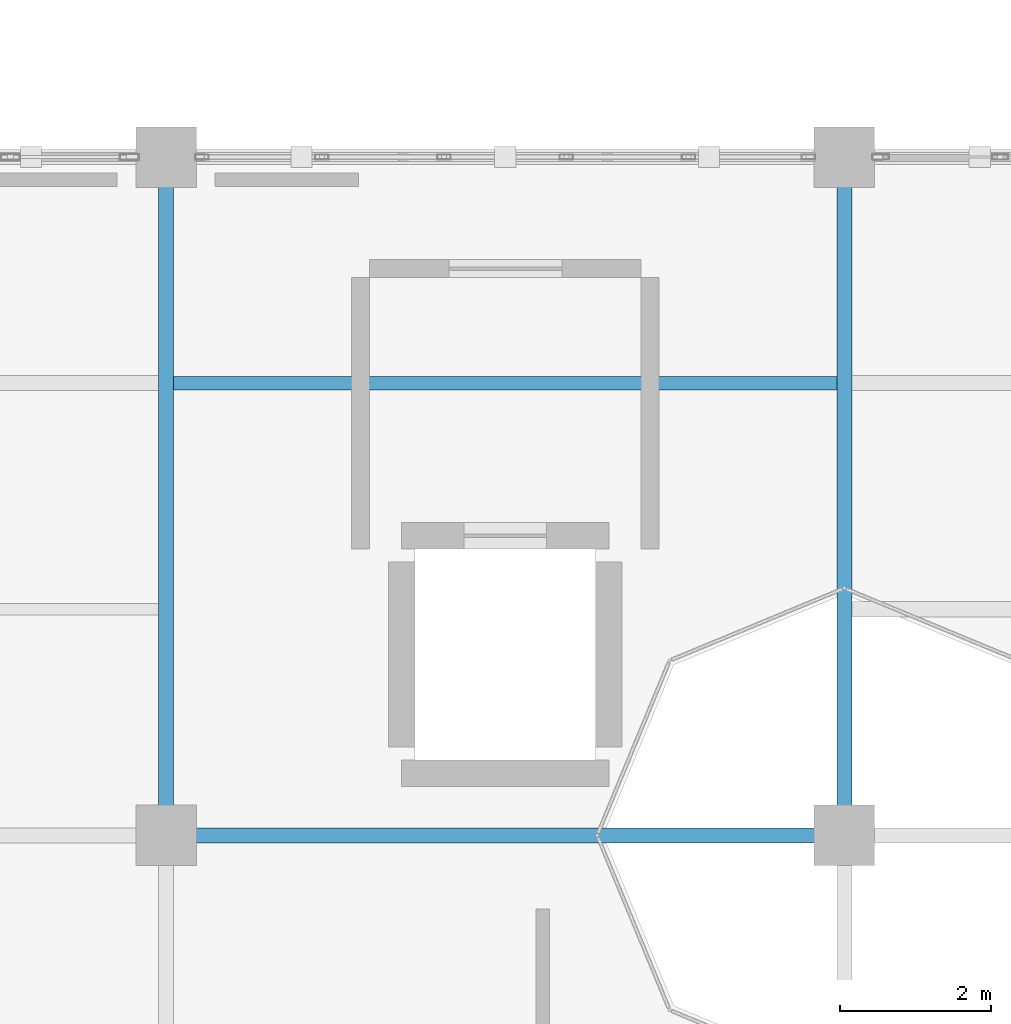
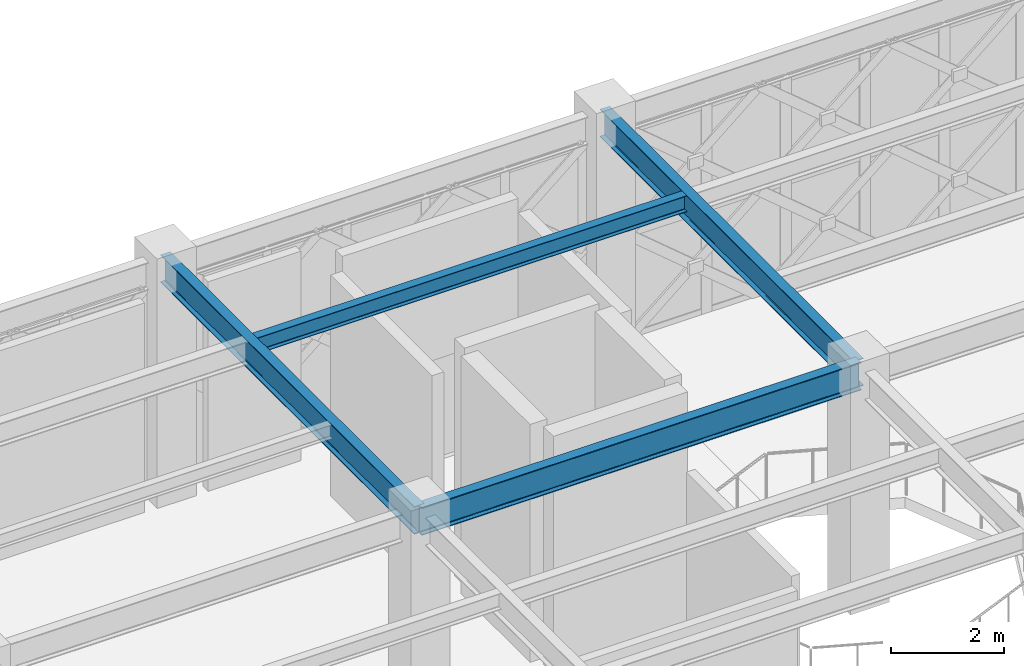
# One storey, part 9 of 86: 4 beams.
"""IFC4 building model written with IfcOpenShell, lengths in metres."""

import ifcopenshell
import ifcopenshell.guid

model = None  # the IFC model being written
_history = None  # IfcOwnerHistory: only IFC2X3 demands one
_inside = {}  # id of a spatial element -> (the spatial element, [elements in it])
_under = {}  # id of a project, library or spatial element -> (it, [spatial elements below it])
_declared = {}  # id of a project -> (the project, [libraries it declares])
_typed = {}  # id of a type object -> (the type object, [elements of that type])
_made_of = {}  # id of a material, layer set ... -> (it, [elements and type objects made of it])


def new_model(schema):
    """Start an empty IFC model of exactly this schema.

    Asked for "IFC4X3", IfcOpenShell would pick the latest addendum, in which some entities
    have other attributes; the version numbers below select the first issue.
    IFC2X3 requires an IfcOwnerHistory on every rooted entity: one is made here for all.
    """
    global model, _history
    if schema == "IFC4X3":
        model = ifcopenshell.file(schema_version=(4, 3, 0, 0))
    else:
        model = ifcopenshell.file(schema=schema)
    _inside.clear()
    _under.clear()
    _declared.clear()
    _typed.clear()
    _made_of.clear()
    _history = None
    if model.schema == "IFC2X3":
        org = make("IfcOrganization", Name="unknown")
        user = make(
            "IfcPersonAndOrganization",
            ThePerson=make("IfcPerson", FamilyName="unknown"),
            TheOrganization=org,
        )
        app = make(
            "IfcApplication",
            ApplicationDeveloper=org,
            Version="unknown",
            ApplicationFullName="unknown",
            ApplicationIdentifier="unknown",
        )
        _history = make(
            "IfcOwnerHistory",
            OwningUser=user,
            OwningApplication=app,
            ChangeAction="ADDED",
            CreationDate=0,
        )
    return model


def make(cls, **values):
    """One entity of the class cls with the attributes given. An attribute that is None is left unset."""
    return model.create_entity(
        cls, **{name: value for name, value in values.items() if value is not None}
    )


def rooted(cls, **values):
    """An entity with a GlobalId (a new one), such as an element, a storey or a relation."""
    return make(cls, GlobalId=ifcopenshell.guid.new(), OwnerHistory=_history, **values)


def si_unit(unit_type, name, prefix=None):
    """IfcSIUnit, for example si_unit("LENGTHUNIT", "METRE", prefix="MILLI")."""
    return make("IfcSIUnit", UnitType=unit_type, Prefix=prefix, Name=name)


def assignment(units):
    """IfcUnitAssignment: the units of a project."""
    return None if units is None else make("IfcUnitAssignment", Units=units)


def point(xyz):
    """IfcCartesianPoint."""
    return None if xyz is None else make("IfcCartesianPoint", Coordinates=xyz)


def direction(xyz):
    """IfcDirection."""
    return None if xyz is None else make("IfcDirection", DirectionRatios=xyz)


def frame(location, z_axis=None, x_axis=None):
    """IfcAxis2Placement3D, a coordinate frame: its origin and axes. An axis left out is left unset."""
    return make(
        "IfcAxis2Placement3D",
        Location=point(location),
        Axis=direction(z_axis),
        RefDirection=direction(x_axis),
    )


def frame_2d(location, x_axis=None):
    """IfcAxis2Placement2D, a coordinate frame in the plane: its origin and x axis."""
    return make(
        "IfcAxis2Placement2D", Location=point(location), RefDirection=direction(x_axis)
    )


def origin():
    """The frame at (0, 0, 0) with its axes left unset."""
    return frame((0.0, 0.0, 0.0))


def origin_2d():
    """The frame at (0, 0) in the plane with its x axis left unset."""
    return frame_2d((0.0, 0.0))


def place(relative_to, where):
    """IfcLocalPlacement: puts the frame where relative to a parent placement (None: the world)."""
    return make(
        "IfcLocalPlacement", PlacementRelTo=relative_to, RelativePlacement=where
    )


def context(
    kind, dimensions, precision=None, world=None, true_north=None, identifier=None
):
    """IfcGeometricRepresentationContext, for example the 3D "Model" context."""
    return make(
        "IfcGeometricRepresentationContext",
        ContextIdentifier=identifier,
        ContextType=kind,
        CoordinateSpaceDimension=dimensions,
        Precision=precision,
        WorldCoordinateSystem=world,
        TrueNorth=true_north,
    )


def subcontext(parent, identifier, kind, view, scale=None):
    """IfcGeometricRepresentationSubContext, for example "Body" below "Model"."""
    return make(
        "IfcGeometricRepresentationSubContext",
        ContextIdentifier=identifier,
        ContextType=kind,
        ParentContext=parent,
        TargetScale=scale,
        TargetView=view,
    )


def project(units=None, contexts=None):
    """IfcProject with its units and contexts."""
    return rooted(
        "IfcProject",
        Name="project",
        RepresentationContexts=contexts,
        UnitsInContext=assignment(units),
    )


def spatial(cls, under=None, at=None, **own):
    """A site, building, storey or space (cls), placed at a placement, below another one or the project."""
    s = rooted(cls, ObjectPlacement=at, **own)
    if under is not None:
        _under.setdefault(under.id(), (under, []))[1].append(s)
    return s


def profile(cls, at=None, kind="AREA", **sizes):
    """A parametric profile (cls). Its sizes go by their IFC names, for example OverallWidth=200.0."""
    return make(cls, ProfileType=kind, Position=at, **sizes)


def i_section(**sizes):
    """IfcIShapeProfileDef."""
    return profile("IfcIShapeProfileDef", **sizes)


def extrude(swept, where, along, depth):
    """IfcExtrudedAreaSolid: the profile swept, set in the frame where, extruded along a direction by depth."""
    return make(
        "IfcExtrudedAreaSolid",
        SweptArea=swept,
        Position=where,
        ExtrudedDirection=direction(along),
        Depth=depth,
    )


def shape(context_of_items, identifier, shape_type, items):
    """IfcShapeRepresentation: the items that make up one representation, for example the "Body"."""
    return make(
        "IfcShapeRepresentation",
        ContextOfItems=context_of_items,
        RepresentationIdentifier=identifier,
        RepresentationType=shape_type,
        Items=items,
    )


def material(Name=None, Category=None):
    """IfcMaterial."""
    return make("IfcMaterial", Name=Name, Category=Category)


def material_profile(
    of_material, cross_section, Name=None, Category=None, Priority=None
):
    """IfcMaterialProfile: a cross section and its material."""
    return make(
        "IfcMaterialProfile",
        Name=Name,
        Material=of_material,
        Profile=cross_section,
        Priority=Priority,
        Category=Category,
    )


def profile_set(profiles, Name=None, composite=None):
    """IfcMaterialProfileSet."""
    return make(
        "IfcMaterialProfileSet",
        Name=Name,
        MaterialProfiles=profiles,
        CompositeProfile=composite,
    )


def made_of(thing, what):
    """Note that an element or type object is made of a material, layer set ...; save() writes the relation."""
    if what is not None:
        _made_of.setdefault(what.id(), (what, []))[1].append(thing)
    return thing


def type_object(cls, material=None, **own):
    """A type object (cls), such as IfcWallType, which elements share."""
    return made_of(rooted(cls, **own), material)


def element(
    cls,
    number,
    at=None,
    inside=None,
    cuts=None,
    type_object=None,
    material=None,
    context=None,
    identifier="Body",
    shape_type=None,
    held_by="IfcProductDefinitionShape",
    body=None,
    shapes=None,
    **own,
):
    """One element of the class cls, such as IfcWall. Its Tag is "e" and its number.

    at: its placement. inside: the storey or other place that contains it. cuts: it is an
    opening in that element (IfcRelVoidsElement). A single representation is given by context,
    identifier, shape_type and body (its items); several are given by shapes. held_by: the class
    of the entity that holds the representations. save() writes the other relations.
    """
    e = rooted(cls, Tag="e%d" % number, ObjectPlacement=at, **own)
    if body is not None:
        shapes = [shape(context, identifier, shape_type, body)]
    if shapes is not None:
        e.Representation = make(held_by, Representations=shapes)
    if inside is not None:
        _inside.setdefault(inside.id(), (inside, []))[1].append(e)
    if cuts is not None:
        rooted(
            "IfcRelVoidsElement", RelatingBuildingElement=cuts, RelatedOpeningElement=e
        )
    if type_object is not None:
        _typed.setdefault(type_object.id(), (type_object, []))[1].append(e)
    return made_of(e, material)


def aggregate(whole, parts):
    """IfcRelAggregates: a whole, such as a stair, and the parts it consists of."""
    return rooted("IfcRelAggregates", RelatingObject=whole, RelatedObjects=parts)


def save(model, path):
    """Write the relations noted so far, then the file.

    IfcRelAggregates (storeys below a building ...), IfcRelContainedInSpatialStructure (elements
    in a storey), IfcRelDefinesByType, IfcRelAssociatesMaterial and IfcRelDeclares: one each for
    every whole, place, type object, material and project.
    """
    for whole, parts in _under.values():
        aggregate(whole, parts)
    for where, things in _inside.values():
        rooted(
            "IfcRelContainedInSpatialStructure",
            RelatedElements=things,
            RelatingStructure=where,
        )
    for kind, things in _typed.values():
        rooted("IfcRelDefinesByType", RelatedObjects=things, RelatingType=kind)
    for what, things in _made_of.values():
        rooted("IfcRelAssociatesMaterial", RelatedObjects=things, RelatingMaterial=what)
    for by, libraries in _declared.values():
        rooted("IfcRelDeclares", RelatingContext=by, RelatedDefinitions=libraries)
    model.write(path)


model = new_model("IFC4")

# Units and contexts
model_context = context("Model", 3, precision=1e-05, world=origin(), true_north=direction((0.0, 1.0)))
body_context = subcontext(model_context, "Body", "Model", "MODEL_VIEW")
ifc_project = project(units=[si_unit("LENGTHUNIT", "METRE"), si_unit("AREAUNIT", "SQUARE_METRE"), si_unit("VOLUMEUNIT", "CUBIC_METRE"), si_unit("PLANEANGLEUNIT", "RADIAN"), si_unit("MASSUNIT", "GRAM", prefix="KILO")], contexts=[model_context])

# Site, building, storey
site_placement = place(None, origin())
site = spatial("IfcSite", under=ifc_project, at=site_placement, CompositionType="ELEMENT")
building_placement = place(site_placement, origin())
building = spatial("IfcBuilding", under=site, at=building_placement, Name="Haizhuo Lancet Aquarium", CompositionType="ELEMENT")
storey_placement = place(building_placement, frame((0.0, 0.0, 16.199951171875)))
storey = spatial("IfcBuildingStorey", under=building, at=storey_placement, Name="L03", CompositionType="ELEMENT", Elevation=16.199951171875)

# Beams
ifc_material = material(Name="Steel S355", Category="steel")
ifc_material_profile_1 = material_profile(ifc_material, i_section(OverallWidth=0.199951171875, OverallDepth=0.60009765625, WebThickness=0.010986328125, FlangeThickness=0.01708984375, FilletRadius=0.02197265625, at=origin_2d()), Name="HN 600x200x11x17")
ifc_profile_set_1 = profile_set([ifc_material_profile_1], Name="Steel S355")
beam_type_1 = type_object("IfcBeamType", Name="BM-ST-HN600", PredefinedType="BEAM", material=ifc_profile_set_1)
for number, where, z_axis, x_axis, name in (
    (1, (-63.0, -18.0, 4.85009765625), (0.0, 1.0, 0.0), (-1.0, 0.0, 0.0), "L03 V6 primary girder BM-L03-V6-011"),
    (2, (-63.0, -18.0, 4.85009765625), (1.0, 0.0, 0.0), (0.0, 1.0, 0.0), "L03 V6 primary girder BM-L03-V6-012"),
    (3, (-54.0, -18.0, 4.85009765625), (0.0, 1.0, 0.0), (-1.0, 0.0, 0.0), "L03 V6 primary girder BM-L03-V6-018"),
):
    element("IfcBeam", number, at=place(storey_placement, frame(where, z_axis=z_axis, x_axis=x_axis)), inside=storey, type_object=beam_type_1, Name=name, PredefinedType="BEAM", context=body_context, shape_type="SweptSolid", body=[
        extrude(i_section(OverallWidth=0.199951171875, OverallDepth=0.60009765625, WebThickness=0.010986328125, FlangeThickness=0.01708984375, FilletRadius=0.02197265625, at=origin_2d()), origin(), (0.0, 0.0, 1.0), 9.0),
    ])
ifc_material_profile_2 = material_profile(ifc_material, i_section(OverallWidth=0.175048828125, OverallDepth=0.35009765625, WebThickness=0.007080078125, FlangeThickness=0.010986328125, FilletRadius=0.013916015625, at=origin_2d()), Name="HN 350x175x7x11")
ifc_profile_set_2 = profile_set([ifc_material_profile_2], Name="Steel S355")
beam_type_2 = type_object("IfcBeamType", Name="JST-ST-HN350", PredefinedType="JOIST", material=ifc_profile_set_2)
beam_placement = place(storey_placement, frame((-62.89990234375, -12.0, 4.97509765625), z_axis=(1.0, 0.0, 0.0), x_axis=(0.0, 1.0, 0.0)))
element("IfcBeam", 4, at=beam_placement, inside=storey, type_object=beam_type_2, Name="L03 V6 secondary floor joist 9", PredefinedType="JOIST", context=body_context, shape_type="SweptSolid", body=[
    extrude(i_section(OverallWidth=0.175048828125, OverallDepth=0.35009765625, WebThickness=0.007080078125, FlangeThickness=0.010986328125, FilletRadius=0.013916015625, at=origin_2d()), origin(), (0.0, 0.0, 1.0), 8.7998046875),
])

save(model, "model.ifc")
